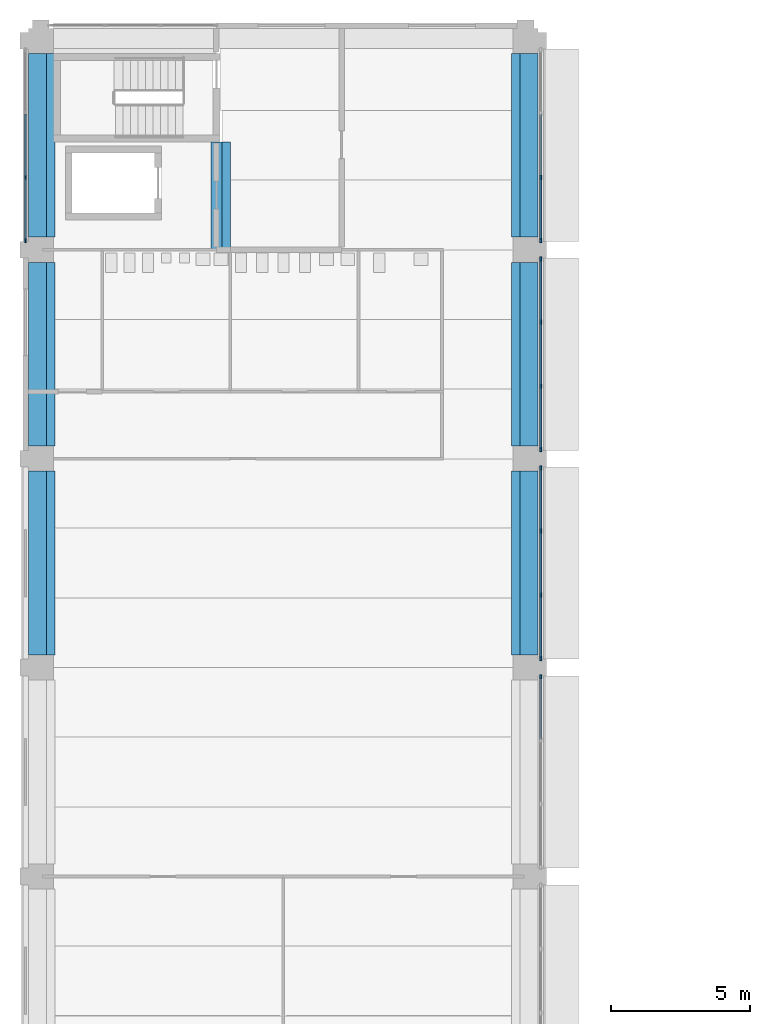
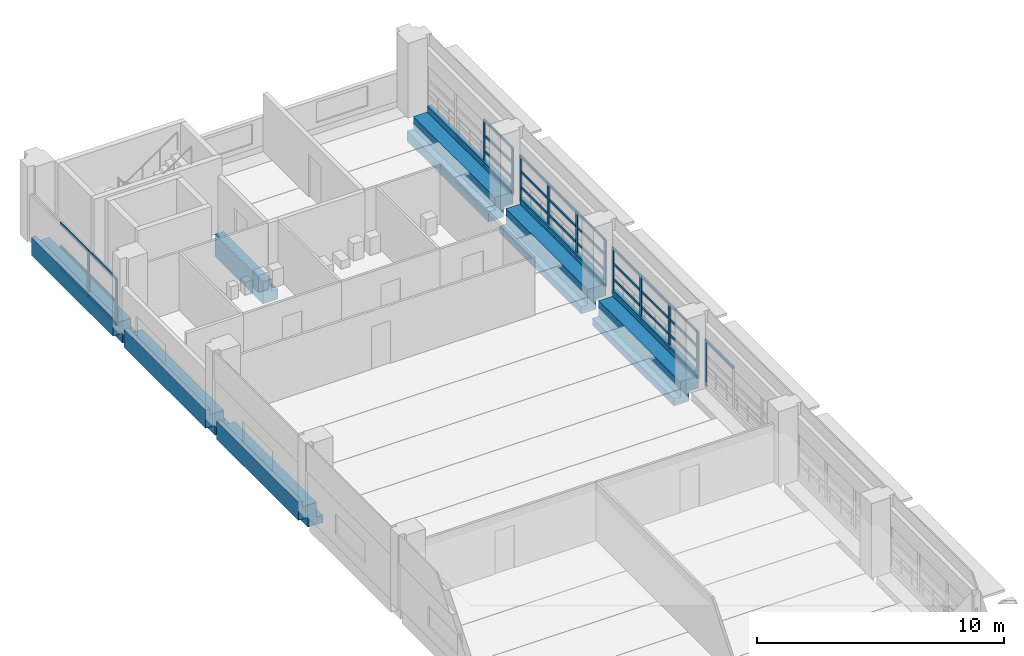
# One storey, part 10 of 57: 49 members, 7 beams, 5 elements without a shape of their own.
"""IFC4 building model written with IfcOpenShell, lengths in metres."""

from ifc_helpers import new_model, si_unit, direction, frame, origin, origin_2d, place, context, subcontext, project, spatial, polyline, rectangle, outline, extrude, material, layer, layer_set, material_profile, profile_set, type_object, element, aggregate, save


model = new_model("IFC4")

# Units and contexts
model_context = context("Model", 3, precision=1e-05, world=origin(), true_north=direction((0.0, 1.0)))
body_context = subcontext(model_context, "Body", "Model", "MODEL_VIEW")
ifc_project = project(units=[si_unit("LENGTHUNIT", "METRE"), si_unit("AREAUNIT", "SQUARE_METRE"), si_unit("VOLUMEUNIT", "CUBIC_METRE"), si_unit("PLANEANGLEUNIT", "RADIAN"), si_unit("MASSUNIT", "GRAM", prefix="KILO")], contexts=[model_context])

# Site, building, storey
site_placement = place(None, origin())
site = spatial("IfcSite", under=ifc_project, at=site_placement, CompositionType="ELEMENT")
building_placement = place(site_placement, origin())
building = spatial("IfcBuilding", under=site, at=building_placement, Name="Cour d'Honneur Mobility Palace", CompositionType="ELEMENT")
storey_placement = place(building_placement, frame((0.0, 0.0, 8.199951171875)))
storey = spatial("IfcBuildingStorey", under=building, at=storey_placement, Name="L02", CompositionType="ELEMENT", Elevation=8.199951171875)

# Curtain wall, member
ifc_material_1 = material(Name="Aluminium and glass", Category="aluminium")
ifc_layer = layer(ifc_material_1, 0.10009765625)
ifc_layer_set = layer_set([ifc_layer], Name="Aluminium and glass")
curtain_wall_type = type_object("IfcCurtainWallType", Name="Curtain wall run", PredefinedType="NOTDEFINED", material=ifc_layer_set)
curtain_wall_1_placement = place(storey_placement, origin())
curtain_wall_1 = element("IfcCurtainWall", 1, at=curtain_wall_1_placement, inside=storey, type_object=curtain_wall_type, Name="Curtain wall CW-26", PredefinedType="NOTDEFINED")
ifc_material_2 = material(Name="Aluminium", Category="aluminium")
ifc_material_profile_1 = material_profile(ifc_material_2, rectangle(XDim=0.06005859375, YDim=0.159912109375, at=origin_2d()), Name="Curtain wall mullion")
ifc_profile_set_1 = profile_set([ifc_material_profile_1], Name="Aluminium")
member_type_1 = type_object("IfcMemberType", Name="Curtain wall mullion", PredefinedType="MULLION", material=ifc_profile_set_1)
member_1_placement = place(storey_placement, frame((17.949951171875, 92.070068359375, 0.0), z_axis=(0.0, 0.0, 1.0), x_axis=(-1.0, 0.0, 0.0)))
member_1 = element("IfcMember", 2, at=member_1_placement, type_object=member_type_1, Name="CW-26 mullion 4", PredefinedType="MULLION", context=body_context, shape_type="SweptSolid", body=[
    extrude(rectangle(XDim=0.06005859375, YDim=0.159912109375, at=origin_2d()), origin(), (0.0, 0.0, 1.0), 2.300048828125),
])

# Curtain wall, members
curtain_wall_2_placement = place(storey_placement, origin())
curtain_wall_2 = element("IfcCurtainWall", 3, at=curtain_wall_2_placement, inside=storey, type_object=curtain_wall_type, Name="Curtain wall CW-27", PredefinedType="NOTDEFINED")
member_2_placement = place(storey_placement, frame((17.949951171875, 92.72998046875, 0.0), z_axis=(0.0, 0.0, 1.0), x_axis=(-1.0, 0.0, 0.0)))
member_2 = element("IfcMember", 4, at=member_2_placement, type_object=member_type_1, Name="CW-27 mullion 1", PredefinedType="MULLION", context=body_context, shape_type="SweptSolid", body=[
    extrude(rectangle(XDim=0.06005859375, YDim=0.159912109375, at=origin_2d()), origin(), (0.0, 0.0, 1.0), 2.300048828125),
])
member_3_placement = place(storey_placement, frame((17.949951171875, 95.0, 0.0), z_axis=(0.0, 0.0, 1.0), x_axis=(-1.0, 0.0, 0.0)))
member_3 = element("IfcMember", 5, at=member_3_placement, type_object=member_type_1, Name="CW-27 mullion 2", PredefinedType="MULLION", context=body_context, shape_type="SweptSolid", body=[
    extrude(rectangle(XDim=0.06005859375, YDim=0.159912109375, at=origin_2d()), origin(), (0.0, 0.0, 1.0), 2.300048828125),
])
member_4_placement = place(storey_placement, frame((17.949951171875, 97.300048828125, 0.0), z_axis=(0.0, 0.0, 1.0), x_axis=(-1.0, 0.0, 0.0)))
member_4 = element("IfcMember", 6, at=member_4_placement, type_object=member_type_1, Name="CW-27 mullion 3", PredefinedType="MULLION", context=body_context, shape_type="SweptSolid", body=[
    extrude(rectangle(XDim=0.06005859375, YDim=0.159912109375, at=origin_2d()), origin(), (0.0, 0.0, 1.0), 2.300048828125),
])
member_5_placement = place(storey_placement, frame((17.949951171875, 99.570068359375, 0.0), z_axis=(0.0, 0.0, 1.0), x_axis=(-1.0, 0.0, 0.0)))
member_5 = element("IfcMember", 7, at=member_5_placement, type_object=member_type_1, Name="CW-27 mullion 4", PredefinedType="MULLION", context=body_context, shape_type="SweptSolid", body=[
    extrude(rectangle(XDim=0.06005859375, YDim=0.159912109375, at=origin_2d()), origin(), (0.0, 0.0, 1.0), 2.300048828125),
])

curtain_wall_3_placement = place(storey_placement, origin())
curtain_wall_3 = element("IfcCurtainWall", 8, at=curtain_wall_3_placement, inside=storey, type_object=curtain_wall_type, Name="Curtain wall CW-28", PredefinedType="NOTDEFINED")
member_6_placement = place(storey_placement, frame((17.949951171875, 100.22998046875, 0.0), z_axis=(0.0, 0.0, 1.0), x_axis=(-1.0, 0.0, 0.0)))
member_6 = element("IfcMember", 9, at=member_6_placement, type_object=member_type_1, Name="CW-28 mullion 1", PredefinedType="MULLION", context=body_context, shape_type="SweptSolid", body=[
    extrude(rectangle(XDim=0.06005859375, YDim=0.159912109375, at=origin_2d()), origin(), (0.0, 0.0, 1.0), 2.300048828125),
])
member_7_placement = place(storey_placement, frame((17.949951171875, 102.5, 0.0), z_axis=(0.0, 0.0, 1.0), x_axis=(-1.0, 0.0, 0.0)))
member_7 = element("IfcMember", 10, at=member_7_placement, type_object=member_type_1, Name="CW-28 mullion 2", PredefinedType="MULLION", context=body_context, shape_type="SweptSolid", body=[
    extrude(rectangle(XDim=0.06005859375, YDim=0.159912109375, at=origin_2d()), origin(), (0.0, 0.0, 1.0), 2.300048828125),
])
member_8_placement = place(storey_placement, frame((17.949951171875, 104.800048828125, 0.0), z_axis=(0.0, 0.0, 1.0), x_axis=(-1.0, 0.0, 0.0)))
member_8 = element("IfcMember", 11, at=member_8_placement, type_object=member_type_1, Name="CW-28 mullion 3", PredefinedType="MULLION", context=body_context, shape_type="SweptSolid", body=[
    extrude(rectangle(XDim=0.06005859375, YDim=0.159912109375, at=origin_2d()), origin(), (0.0, 0.0, 1.0), 2.300048828125),
])
member_9_placement = place(storey_placement, frame((17.949951171875, 107.070068359375, 0.0), z_axis=(0.0, 0.0, 1.0), x_axis=(-1.0, 0.0, 0.0)))
member_9 = element("IfcMember", 12, at=member_9_placement, type_object=member_type_1, Name="CW-28 mullion 4", PredefinedType="MULLION", context=body_context, shape_type="SweptSolid", body=[
    extrude(rectangle(XDim=0.06005859375, YDim=0.159912109375, at=origin_2d()), origin(), (0.0, 0.0, 1.0), 2.300048828125),
])

curtain_wall_4_placement = place(storey_placement, origin())
curtain_wall_4 = element("IfcCurtainWall", 13, at=curtain_wall_4_placement, inside=storey, type_object=curtain_wall_type, Name="Curtain wall CW-29", PredefinedType="NOTDEFINED")
member_10_placement = place(storey_placement, frame((17.949951171875, 107.72998046875, 0.0), z_axis=(0.0, 0.0, 1.0), x_axis=(-1.0, 0.0, 0.0)))
member_10 = element("IfcMember", 14, at=member_10_placement, type_object=member_type_1, Name="CW-29 mullion 1", PredefinedType="MULLION", context=body_context, shape_type="SweptSolid", body=[
    extrude(rectangle(XDim=0.06005859375, YDim=0.159912109375, at=origin_2d()), origin(), (0.0, 0.0, 1.0), 2.300048828125),
])
member_11_placement = place(storey_placement, frame((17.949951171875, 110.0, 0.0), z_axis=(0.0, 0.0, 1.0), x_axis=(-1.0, 0.0, 0.0)))
member_11 = element("IfcMember", 15, at=member_11_placement, type_object=member_type_1, Name="CW-29 mullion 2", PredefinedType="MULLION", context=body_context, shape_type="SweptSolid", body=[
    extrude(rectangle(XDim=0.06005859375, YDim=0.159912109375, at=origin_2d()), origin(), (0.0, 0.0, 1.0), 2.300048828125),
])

curtain_wall_5_placement = place(storey_placement, origin())
curtain_wall_5 = element("IfcCurtainWall", 16, at=curtain_wall_5_placement, inside=storey, type_object=curtain_wall_type, Name="Curtain wall CW-127", PredefinedType="NOTDEFINED")
member_12_placement = place(storey_placement, frame((-0.550048828125, 110.0, 0.0), z_axis=(0.0, 0.0, 1.0), x_axis=(1.0, 0.0, 0.0)))
member_12 = element("IfcMember", 17, at=member_12_placement, type_object=member_type_1, Name="CW-127 mullion 3", PredefinedType="MULLION", context=body_context, shape_type="SweptSolid", body=[
    extrude(rectangle(XDim=0.06005859375, YDim=0.159912109375, at=origin_2d()), origin(), (0.0, 0.0, 1.0), 2.300048828125),
])
member_13_placement = place(storey_placement, frame((-0.550048828125, 107.72998046875, 0.0), z_axis=(0.0, 0.0, 1.0), x_axis=(1.0, 0.0, 0.0)))
member_13 = element("IfcMember", 18, at=member_13_placement, type_object=member_type_1, Name="CW-127 mullion 4", PredefinedType="MULLION", context=body_context, shape_type="SweptSolid", body=[
    extrude(rectangle(XDim=0.06005859375, YDim=0.159912109375, at=origin_2d()), origin(), (0.0, 0.0, 1.0), 2.300048828125),
])

# Member
ifc_material_3 = material(Name="Aluminium", Category="aluminium")
ifc_material_profile_2 = material_profile(ifc_material_3, rectangle(XDim=0.06005859375, YDim=0.1201171875, at=origin_2d()), Name="Curtain wall transom")
ifc_profile_set_2 = profile_set([ifc_material_profile_2], Name="Aluminium")
member_type_2 = type_object("IfcMemberType", Name="Curtain wall transom", PredefinedType="USERDEFINED", material=ifc_profile_set_2)
member_14_placement = place(storey_placement, frame((17.949951171875, 89.830078125, 2.27001953125), z_axis=(0.0, 1.0, 0.0), x_axis=(-1.0, 0.0, 0.0)))
member_14 = element("IfcMember", 19, at=member_14_placement, type_object=member_type_2, Name="CW-26 transom 3.4", ObjectType="TRANSOM", PredefinedType="USERDEFINED", context=body_context, shape_type="SweptSolid", body=[
    extrude(rectangle(XDim=0.06005859375, YDim=0.1201171875, at=origin_2d()), origin(), (0.0, 0.0, 1.0), 2.2099609375),
])

aggregate(curtain_wall_1, [member_1, member_14])

member_15_placement = place(storey_placement, frame((17.949951171875, 92.760009765625, 0.030029296875), z_axis=(0.0, 1.0, 0.0), x_axis=(-1.0, 0.0, 0.0)))
member_15 = element("IfcMember", 20, at=member_15_placement, type_object=member_type_2, Name="CW-27 transom 1.1", ObjectType="TRANSOM", PredefinedType="USERDEFINED", context=body_context, shape_type="SweptSolid", body=[
    extrude(rectangle(XDim=0.06005859375, YDim=0.1201171875, at=origin_2d()), origin(), (0.0, 0.0, 1.0), 2.2099609375),
])

member_16_placement = place(storey_placement, frame((17.949951171875, 92.760009765625, 0.7666015625), z_axis=(0.0, 1.0, 0.0), x_axis=(-1.0, 0.0, 0.0)))
member_16 = element("IfcMember", 21, at=member_16_placement, type_object=member_type_2, Name="CW-27 transom 1.2", ObjectType="TRANSOM", PredefinedType="USERDEFINED", context=body_context, shape_type="SweptSolid", body=[
    extrude(rectangle(XDim=0.06005859375, YDim=0.1201171875, at=origin_2d()), origin(), (0.0, 0.0, 1.0), 2.2099609375),
])

member_17_placement = place(storey_placement, frame((17.949951171875, 92.760009765625, 1.533447265625), z_axis=(0.0, 1.0, 0.0), x_axis=(-1.0, 0.0, 0.0)))
member_17 = element("IfcMember", 22, at=member_17_placement, type_object=member_type_2, Name="CW-27 transom 1.3", ObjectType="TRANSOM", PredefinedType="USERDEFINED", context=body_context, shape_type="SweptSolid", body=[
    extrude(rectangle(XDim=0.06005859375, YDim=0.1201171875, at=origin_2d()), origin(), (0.0, 0.0, 1.0), 2.2099609375),
])

member_18_placement = place(storey_placement, frame((17.949951171875, 92.760009765625, 2.27001953125), z_axis=(0.0, 1.0, 0.0), x_axis=(-1.0, 0.0, 0.0)))
member_18 = element("IfcMember", 23, at=member_18_placement, type_object=member_type_2, Name="CW-27 transom 1.4", ObjectType="TRANSOM", PredefinedType="USERDEFINED", context=body_context, shape_type="SweptSolid", body=[
    extrude(rectangle(XDim=0.06005859375, YDim=0.1201171875, at=origin_2d()), origin(), (0.0, 0.0, 1.0), 2.2099609375),
])

member_19_placement = place(storey_placement, frame((17.949951171875, 95.030029296875, 0.030029296875), z_axis=(0.0, 1.0, 0.0), x_axis=(-1.0, 0.0, 0.0)))
member_19 = element("IfcMember", 24, at=member_19_placement, type_object=member_type_2, Name="CW-27 transom 2.1", ObjectType="TRANSOM", PredefinedType="USERDEFINED", context=body_context, shape_type="SweptSolid", body=[
    extrude(rectangle(XDim=0.06005859375, YDim=0.1201171875, at=origin_2d()), origin(), (0.0, 0.0, 1.0), 2.239990234375),
])

member_20_placement = place(storey_placement, frame((17.949951171875, 95.030029296875, 0.7666015625), z_axis=(0.0, 1.0, 0.0), x_axis=(-1.0, 0.0, 0.0)))
member_20 = element("IfcMember", 25, at=member_20_placement, type_object=member_type_2, Name="CW-27 transom 2.2", ObjectType="TRANSOM", PredefinedType="USERDEFINED", context=body_context, shape_type="SweptSolid", body=[
    extrude(rectangle(XDim=0.06005859375, YDim=0.1201171875, at=origin_2d()), origin(), (0.0, 0.0, 1.0), 2.239990234375),
])

member_21_placement = place(storey_placement, frame((17.949951171875, 95.030029296875, 1.533447265625), z_axis=(0.0, 1.0, 0.0), x_axis=(-1.0, 0.0, 0.0)))
member_21 = element("IfcMember", 26, at=member_21_placement, type_object=member_type_2, Name="CW-27 transom 2.3", ObjectType="TRANSOM", PredefinedType="USERDEFINED", context=body_context, shape_type="SweptSolid", body=[
    extrude(rectangle(XDim=0.06005859375, YDim=0.1201171875, at=origin_2d()), origin(), (0.0, 0.0, 1.0), 2.239990234375),
])

member_22_placement = place(storey_placement, frame((17.949951171875, 95.030029296875, 2.27001953125), z_axis=(0.0, 1.0, 0.0), x_axis=(-1.0, 0.0, 0.0)))
member_22 = element("IfcMember", 27, at=member_22_placement, type_object=member_type_2, Name="CW-27 transom 2.4", ObjectType="TRANSOM", PredefinedType="USERDEFINED", context=body_context, shape_type="SweptSolid", body=[
    extrude(rectangle(XDim=0.06005859375, YDim=0.1201171875, at=origin_2d()), origin(), (0.0, 0.0, 1.0), 2.239990234375),
])

member_23_placement = place(storey_placement, frame((17.949951171875, 97.330078125, 0.030029296875), z_axis=(0.0, 1.0, 0.0), x_axis=(-1.0, 0.0, 0.0)))
member_23 = element("IfcMember", 28, at=member_23_placement, type_object=member_type_2, Name="CW-27 transom 3.1", ObjectType="TRANSOM", PredefinedType="USERDEFINED", context=body_context, shape_type="SweptSolid", body=[
    extrude(rectangle(XDim=0.06005859375, YDim=0.1201171875, at=origin_2d()), origin(), (0.0, 0.0, 1.0), 2.2099609375),
])

member_24_placement = place(storey_placement, frame((17.949951171875, 97.330078125, 0.7666015625), z_axis=(0.0, 1.0, 0.0), x_axis=(-1.0, 0.0, 0.0)))
member_24 = element("IfcMember", 29, at=member_24_placement, type_object=member_type_2, Name="CW-27 transom 3.2", ObjectType="TRANSOM", PredefinedType="USERDEFINED", context=body_context, shape_type="SweptSolid", body=[
    extrude(rectangle(XDim=0.06005859375, YDim=0.1201171875, at=origin_2d()), origin(), (0.0, 0.0, 1.0), 2.2099609375),
])

member_25_placement = place(storey_placement, frame((17.949951171875, 97.330078125, 1.533447265625), z_axis=(0.0, 1.0, 0.0), x_axis=(-1.0, 0.0, 0.0)))
member_25 = element("IfcMember", 30, at=member_25_placement, type_object=member_type_2, Name="CW-27 transom 3.3", ObjectType="TRANSOM", PredefinedType="USERDEFINED", context=body_context, shape_type="SweptSolid", body=[
    extrude(rectangle(XDim=0.06005859375, YDim=0.1201171875, at=origin_2d()), origin(), (0.0, 0.0, 1.0), 2.2099609375),
])

member_26_placement = place(storey_placement, frame((17.949951171875, 97.330078125, 2.27001953125), z_axis=(0.0, 1.0, 0.0), x_axis=(-1.0, 0.0, 0.0)))
member_26 = element("IfcMember", 31, at=member_26_placement, type_object=member_type_2, Name="CW-27 transom 3.4", ObjectType="TRANSOM", PredefinedType="USERDEFINED", context=body_context, shape_type="SweptSolid", body=[
    extrude(rectangle(XDim=0.06005859375, YDim=0.1201171875, at=origin_2d()), origin(), (0.0, 0.0, 1.0), 2.2099609375),
])

aggregate(curtain_wall_2, [member_2, member_3, member_4, member_5, member_15, member_16, member_17, member_18, member_19, member_20, member_21, member_22, member_23, member_24, member_25, member_26])

member_27_placement = place(storey_placement, frame((17.949951171875, 100.260009765625, 0.030029296875), z_axis=(0.0, 1.0, 0.0), x_axis=(-1.0, 0.0, 0.0)))
member_27 = element("IfcMember", 32, at=member_27_placement, type_object=member_type_2, Name="CW-28 transom 1.1", ObjectType="TRANSOM", PredefinedType="USERDEFINED", context=body_context, shape_type="SweptSolid", body=[
    extrude(rectangle(XDim=0.06005859375, YDim=0.1201171875, at=origin_2d()), origin(), (0.0, 0.0, 1.0), 2.2099609375),
])

member_28_placement = place(storey_placement, frame((17.949951171875, 100.260009765625, 0.7666015625), z_axis=(0.0, 1.0, 0.0), x_axis=(-1.0, 0.0, 0.0)))
member_28 = element("IfcMember", 33, at=member_28_placement, type_object=member_type_2, Name="CW-28 transom 1.2", ObjectType="TRANSOM", PredefinedType="USERDEFINED", context=body_context, shape_type="SweptSolid", body=[
    extrude(rectangle(XDim=0.06005859375, YDim=0.1201171875, at=origin_2d()), origin(), (0.0, 0.0, 1.0), 2.2099609375),
])

member_29_placement = place(storey_placement, frame((17.949951171875, 100.260009765625, 1.533447265625), z_axis=(0.0, 1.0, 0.0), x_axis=(-1.0, 0.0, 0.0)))
member_29 = element("IfcMember", 34, at=member_29_placement, type_object=member_type_2, Name="CW-28 transom 1.3", ObjectType="TRANSOM", PredefinedType="USERDEFINED", context=body_context, shape_type="SweptSolid", body=[
    extrude(rectangle(XDim=0.06005859375, YDim=0.1201171875, at=origin_2d()), origin(), (0.0, 0.0, 1.0), 2.2099609375),
])

member_30_placement = place(storey_placement, frame((17.949951171875, 100.260009765625, 2.27001953125), z_axis=(0.0, 1.0, 0.0), x_axis=(-1.0, 0.0, 0.0)))
member_30 = element("IfcMember", 35, at=member_30_placement, type_object=member_type_2, Name="CW-28 transom 1.4", ObjectType="TRANSOM", PredefinedType="USERDEFINED", context=body_context, shape_type="SweptSolid", body=[
    extrude(rectangle(XDim=0.06005859375, YDim=0.1201171875, at=origin_2d()), origin(), (0.0, 0.0, 1.0), 2.2099609375),
])

member_31_placement = place(storey_placement, frame((17.949951171875, 102.530029296875, 0.030029296875), z_axis=(0.0, 1.0, 0.0), x_axis=(-1.0, 0.0, 0.0)))
member_31 = element("IfcMember", 36, at=member_31_placement, type_object=member_type_2, Name="CW-28 transom 2.1", ObjectType="TRANSOM", PredefinedType="USERDEFINED", context=body_context, shape_type="SweptSolid", body=[
    extrude(rectangle(XDim=0.06005859375, YDim=0.1201171875, at=origin_2d()), origin(), (0.0, 0.0, 1.0), 2.239990234375),
])

member_32_placement = place(storey_placement, frame((17.949951171875, 102.530029296875, 0.7666015625), z_axis=(0.0, 1.0, 0.0), x_axis=(-1.0, 0.0, 0.0)))
member_32 = element("IfcMember", 37, at=member_32_placement, type_object=member_type_2, Name="CW-28 transom 2.2", ObjectType="TRANSOM", PredefinedType="USERDEFINED", context=body_context, shape_type="SweptSolid", body=[
    extrude(rectangle(XDim=0.06005859375, YDim=0.1201171875, at=origin_2d()), origin(), (0.0, 0.0, 1.0), 2.239990234375),
])

member_33_placement = place(storey_placement, frame((17.949951171875, 102.530029296875, 1.533447265625), z_axis=(0.0, 1.0, 0.0), x_axis=(-1.0, 0.0, 0.0)))
member_33 = element("IfcMember", 38, at=member_33_placement, type_object=member_type_2, Name="CW-28 transom 2.3", ObjectType="TRANSOM", PredefinedType="USERDEFINED", context=body_context, shape_type="SweptSolid", body=[
    extrude(rectangle(XDim=0.06005859375, YDim=0.1201171875, at=origin_2d()), origin(), (0.0, 0.0, 1.0), 2.239990234375),
])

member_34_placement = place(storey_placement, frame((17.949951171875, 102.530029296875, 2.27001953125), z_axis=(0.0, 1.0, 0.0), x_axis=(-1.0, 0.0, 0.0)))
member_34 = element("IfcMember", 39, at=member_34_placement, type_object=member_type_2, Name="CW-28 transom 2.4", ObjectType="TRANSOM", PredefinedType="USERDEFINED", context=body_context, shape_type="SweptSolid", body=[
    extrude(rectangle(XDim=0.06005859375, YDim=0.1201171875, at=origin_2d()), origin(), (0.0, 0.0, 1.0), 2.239990234375),
])

member_35_placement = place(storey_placement, frame((17.949951171875, 104.830078125, 0.030029296875), z_axis=(0.0, 1.0, 0.0), x_axis=(-1.0, 0.0, 0.0)))
member_35 = element("IfcMember", 40, at=member_35_placement, type_object=member_type_2, Name="CW-28 transom 3.1", ObjectType="TRANSOM", PredefinedType="USERDEFINED", context=body_context, shape_type="SweptSolid", body=[
    extrude(rectangle(XDim=0.06005859375, YDim=0.1201171875, at=origin_2d()), origin(), (0.0, 0.0, 1.0), 2.2099609375),
])

member_36_placement = place(storey_placement, frame((17.949951171875, 104.830078125, 0.7666015625), z_axis=(0.0, 1.0, 0.0), x_axis=(-1.0, 0.0, 0.0)))
member_36 = element("IfcMember", 41, at=member_36_placement, type_object=member_type_2, Name="CW-28 transom 3.2", ObjectType="TRANSOM", PredefinedType="USERDEFINED", context=body_context, shape_type="SweptSolid", body=[
    extrude(rectangle(XDim=0.06005859375, YDim=0.1201171875, at=origin_2d()), origin(), (0.0, 0.0, 1.0), 2.2099609375),
])

member_37_placement = place(storey_placement, frame((17.949951171875, 104.830078125, 1.533447265625), z_axis=(0.0, 1.0, 0.0), x_axis=(-1.0, 0.0, 0.0)))
member_37 = element("IfcMember", 42, at=member_37_placement, type_object=member_type_2, Name="CW-28 transom 3.3", ObjectType="TRANSOM", PredefinedType="USERDEFINED", context=body_context, shape_type="SweptSolid", body=[
    extrude(rectangle(XDim=0.06005859375, YDim=0.1201171875, at=origin_2d()), origin(), (0.0, 0.0, 1.0), 2.2099609375),
])

member_38_placement = place(storey_placement, frame((17.949951171875, 104.830078125, 2.27001953125), z_axis=(0.0, 1.0, 0.0), x_axis=(-1.0, 0.0, 0.0)))
member_38 = element("IfcMember", 43, at=member_38_placement, type_object=member_type_2, Name="CW-28 transom 3.4", ObjectType="TRANSOM", PredefinedType="USERDEFINED", context=body_context, shape_type="SweptSolid", body=[
    extrude(rectangle(XDim=0.06005859375, YDim=0.1201171875, at=origin_2d()), origin(), (0.0, 0.0, 1.0), 2.2099609375),
])

aggregate(curtain_wall_3, [member_6, member_7, member_8, member_9, member_27, member_28, member_29, member_30, member_31, member_32, member_33, member_34, member_35, member_36, member_37, member_38])

member_39_placement = place(storey_placement, frame((17.949951171875, 107.760009765625, 0.030029296875), z_axis=(0.0, 1.0, 0.0), x_axis=(-1.0, 0.0, 0.0)))
member_39 = element("IfcMember", 44, at=member_39_placement, type_object=member_type_2, Name="CW-29 transom 1.1", ObjectType="TRANSOM", PredefinedType="USERDEFINED", context=body_context, shape_type="SweptSolid", body=[
    extrude(rectangle(XDim=0.06005859375, YDim=0.1201171875, at=origin_2d()), origin(), (0.0, 0.0, 1.0), 2.2099609375),
])

member_40_placement = place(storey_placement, frame((17.949951171875, 107.760009765625, 0.7666015625), z_axis=(0.0, 1.0, 0.0), x_axis=(-1.0, 0.0, 0.0)))
member_40 = element("IfcMember", 45, at=member_40_placement, type_object=member_type_2, Name="CW-29 transom 1.2", ObjectType="TRANSOM", PredefinedType="USERDEFINED", context=body_context, shape_type="SweptSolid", body=[
    extrude(rectangle(XDim=0.06005859375, YDim=0.1201171875, at=origin_2d()), origin(), (0.0, 0.0, 1.0), 2.2099609375),
])

member_41_placement = place(storey_placement, frame((17.949951171875, 107.760009765625, 1.533447265625), z_axis=(0.0, 1.0, 0.0), x_axis=(-1.0, 0.0, 0.0)))
member_41 = element("IfcMember", 46, at=member_41_placement, type_object=member_type_2, Name="CW-29 transom 1.3", ObjectType="TRANSOM", PredefinedType="USERDEFINED", context=body_context, shape_type="SweptSolid", body=[
    extrude(rectangle(XDim=0.06005859375, YDim=0.1201171875, at=origin_2d()), origin(), (0.0, 0.0, 1.0), 2.2099609375),
])

member_42_placement = place(storey_placement, frame((17.949951171875, 107.760009765625, 2.27001953125), z_axis=(0.0, 1.0, 0.0), x_axis=(-1.0, 0.0, 0.0)))
member_42 = element("IfcMember", 47, at=member_42_placement, type_object=member_type_2, Name="CW-29 transom 1.4", ObjectType="TRANSOM", PredefinedType="USERDEFINED", context=body_context, shape_type="SweptSolid", body=[
    extrude(rectangle(XDim=0.06005859375, YDim=0.1201171875, at=origin_2d()), origin(), (0.0, 0.0, 1.0), 2.2099609375),
])

member_43_placement = place(storey_placement, frame((17.949951171875, 110.030029296875, 0.030029296875), z_axis=(0.0, 1.0, 0.0), x_axis=(-1.0, 0.0, 0.0)))
member_43 = element("IfcMember", 48, at=member_43_placement, type_object=member_type_2, Name="CW-29 transom 2.1", ObjectType="TRANSOM", PredefinedType="USERDEFINED", context=body_context, shape_type="SweptSolid", body=[
    extrude(rectangle(XDim=0.06005859375, YDim=0.1201171875, at=origin_2d()), origin(), (0.0, 0.0, 1.0), 2.239990234375),
])

aggregate(curtain_wall_4, [member_10, member_11, member_39, member_40, member_41, member_42, member_43])

member_44_placement = place(storey_placement, frame((-0.550048828125, 112.27001953125, 0.030029296875), z_axis=(0.0, -1.0, 0.0), x_axis=(1.0, 0.0, 0.0)))
member_44 = element("IfcMember", 49, at=member_44_placement, type_object=member_type_2, Name="CW-127 transom 2.1", ObjectType="TRANSOM", PredefinedType="USERDEFINED", context=body_context, shape_type="SweptSolid", body=[
    extrude(rectangle(XDim=0.06005859375, YDim=0.1201171875, at=origin_2d()), origin(), (0.0, 0.0, 1.0), 2.239990234375),
])

member_45_placement = place(storey_placement, frame((-0.550048828125, 112.27001953125, 1.150146484375), z_axis=(0.0, -1.0, 0.0), x_axis=(1.0, 0.0, 0.0)))
member_45 = element("IfcMember", 50, at=member_45_placement, type_object=member_type_2, Name="CW-127 transom 2.2", ObjectType="TRANSOM", PredefinedType="USERDEFINED", context=body_context, shape_type="SweptSolid", body=[
    extrude(rectangle(XDim=0.06005859375, YDim=0.1201171875, at=origin_2d()), origin(), (0.0, 0.0, 1.0), 2.239990234375),
])

member_46_placement = place(storey_placement, frame((-0.550048828125, 112.27001953125, 2.27001953125), z_axis=(0.0, -1.0, 0.0), x_axis=(1.0, 0.0, 0.0)))
member_46 = element("IfcMember", 51, at=member_46_placement, type_object=member_type_2, Name="CW-127 transom 2.3", ObjectType="TRANSOM", PredefinedType="USERDEFINED", context=body_context, shape_type="SweptSolid", body=[
    extrude(rectangle(XDim=0.06005859375, YDim=0.1201171875, at=origin_2d()), origin(), (0.0, 0.0, 1.0), 2.239990234375),
])

member_47_placement = place(storey_placement, frame((-0.550048828125, 109.969970703125, 0.030029296875), z_axis=(0.0, -1.0, 0.0), x_axis=(1.0, 0.0, 0.0)))
member_47 = element("IfcMember", 52, at=member_47_placement, type_object=member_type_2, Name="CW-127 transom 3.1", ObjectType="TRANSOM", PredefinedType="USERDEFINED", context=body_context, shape_type="SweptSolid", body=[
    extrude(rectangle(XDim=0.06005859375, YDim=0.1201171875, at=origin_2d()), origin(), (0.0, 0.0, 1.0), 2.2099609375),
])

member_48_placement = place(storey_placement, frame((-0.550048828125, 109.969970703125, 1.150146484375), z_axis=(0.0, -1.0, 0.0), x_axis=(1.0, 0.0, 0.0)))
member_48 = element("IfcMember", 53, at=member_48_placement, type_object=member_type_2, Name="CW-127 transom 3.2", ObjectType="TRANSOM", PredefinedType="USERDEFINED", context=body_context, shape_type="SweptSolid", body=[
    extrude(rectangle(XDim=0.06005859375, YDim=0.1201171875, at=origin_2d()), origin(), (0.0, 0.0, 1.0), 2.2099609375),
])

member_49_placement = place(storey_placement, frame((-0.550048828125, 109.969970703125, 2.27001953125), z_axis=(0.0, -1.0, 0.0), x_axis=(1.0, 0.0, 0.0)))
member_49 = element("IfcMember", 54, at=member_49_placement, type_object=member_type_2, Name="CW-127 transom 3.3", ObjectType="TRANSOM", PredefinedType="USERDEFINED", context=body_context, shape_type="SweptSolid", body=[
    extrude(rectangle(XDim=0.06005859375, YDim=0.1201171875, at=origin_2d()), origin(), (0.0, 0.0, 1.0), 2.2099609375),
])

aggregate(curtain_wall_5, [member_12, member_13, member_44, member_45, member_46, member_47, member_48, member_49])

# Beams
ifc_material_4 = material(Name="Concrete C45", Category="concrete")
ifc_material_profile_3 = material_profile(ifc_material_4, outline(polyline([(0.5, -1.10009765625), (0.5, -0.75), (0.199951171875, -0.75), (0.199951171875, 0.0), (-0.199951171875, 0.0), (-0.449951171875, 0.0), (-0.449951171875, 0.300048828125), (-0.64990234375, 0.300048828125), (-0.64990234375, -0.60009765625), (-0.199951171875, -0.60009765625), (-0.199951171875, -1.10009765625), (0.5, -1.10009765625)])), Name="Ledger Beam 400x1100 ledge left 350 facade right")
ifc_profile_set_3 = profile_set([ifc_material_profile_3], Name="Concrete C45")
beam_type_1 = type_object("IfcBeamType", Name="Ledger Beam 400x1100 ledge left 350 facade right", PredefinedType="BEAM", material=ifc_profile_set_3)
for number, where, z_axis, x_axis, name in (
    (55, (17.39990234375, 92.85009765625, 0.0), (0.0, 1.0, 0.0), (-1.0, 0.0, 0.0), "Precast beam B2 M-N L02"),
    (56, (17.39990234375, 100.35009765625, 0.0), (0.0, 1.0, 0.0), (-1.0, 0.0, 0.0), "Precast beam B2 N-P L02"),
):
    element("IfcBeam", number, at=place(storey_placement, frame(where, z_axis=z_axis, x_axis=x_axis)), inside=storey, type_object=beam_type_1, Name=name, PredefinedType="BEAM", context=body_context, shape_type="SweptSolid", body=[
        extrude(outline(polyline([(0.5, -1.10009765625), (0.5, -0.75), (0.199951171875, -0.75), (0.199951171875, 0.0), (-0.199951171875, 0.0), (-0.449951171875, 0.0), (-0.449951171875, 0.300048828125), (-0.64990234375, 0.300048828125), (-0.64990234375, -0.60009765625), (-0.199951171875, -0.60009765625), (-0.199951171875, -1.10009765625), (0.5, -1.10009765625)])), origin(), (0.0, 0.0, 1.0), 6.599853515625),
    ])
ifc_material_5 = material(Name="Concrete C45", Category="concrete")
ifc_material_profile_4 = material_profile(ifc_material_5, outline(polyline([(0.5, -1.10009765625), (0.5, -0.60009765625), (0.199951171875, -0.60009765625), (0.199951171875, 0.0), (-0.199951171875, 0.0), (-0.449951171875, 0.0), (-0.449951171875, 0.300048828125), (-0.64990234375, 0.300048828125), (-0.64990234375, -0.60009765625), (-0.199951171875, -0.60009765625), (-0.199951171875, -1.10009765625), (0.5, -1.10009765625)])), Name="Ledger Beam 400x1100 ledge left 500 facade right")
ifc_profile_set_4 = profile_set([ifc_material_profile_4], Name="Concrete C45")
beam_type_2 = type_object("IfcBeamType", Name="Ledger Beam 400x1100 ledge left 500 facade right", PredefinedType="BEAM", material=ifc_profile_set_4)
beam_1_placement = place(storey_placement, frame((17.39990234375, 107.85009765625, 0.0), z_axis=(0.0, 1.0, 0.0), x_axis=(-1.0, 0.0, 0.0)))
element("IfcBeam", 57, at=beam_1_placement, inside=storey, type_object=beam_type_2, Name="Precast beam B14 P-Q L02", PredefinedType="BEAM", context=body_context, shape_type="SweptSolid", body=[
    extrude(outline(polyline([(0.5, -1.10009765625), (0.5, -0.60009765625), (0.199951171875, -0.60009765625), (0.199951171875, 0.0), (-0.199951171875, 0.0), (-0.449951171875, 0.0), (-0.449951171875, 0.300048828125), (-0.64990234375, 0.300048828125), (-0.64990234375, -0.60009765625), (-0.199951171875, -0.60009765625), (-0.199951171875, -1.10009765625), (0.5, -1.10009765625)])), origin(), (0.0, 0.0, 1.0), 6.599853515625),
])
ifc_material_6 = material(Name="Concrete C45", Category="concrete")
ifc_material_profile_5 = material_profile(ifc_material_6, outline(polyline([(0.199951171875, -1.10009765625), (0.199951171875, -0.60009765625), (0.64990234375, -0.60009765625), (0.64990234375, 0.300048828125), (0.449951171875, 0.300048828125), (0.449951171875, 0.0), (0.199951171875, 0.0), (-0.199951171875, 0.0), (-0.199951171875, -0.800048828125), (-0.5, -0.800048828125), (-0.5, -1.10009765625), (0.199951171875, -1.10009765625)])), Name="Ledger Beam 400x1100 ledge right 300 facade left")
ifc_profile_set_5 = profile_set([ifc_material_profile_5], Name="Concrete C45")
beam_type_3 = type_object("IfcBeamType", Name="Ledger Beam 400x1100 ledge right 300 facade left", PredefinedType="BEAM", material=ifc_profile_set_5)
beam_2_placement = place(storey_placement, frame((0.0, 107.85009765625, 0.0), z_axis=(0.0, 1.0, 0.0), x_axis=(-1.0, 0.0, 0.0)))
element("IfcBeam", 58, at=beam_2_placement, inside=storey, type_object=beam_type_3, Name="Precast beam B6 P-Q L02", PredefinedType="BEAM", context=body_context, shape_type="SweptSolid", body=[
    extrude(outline(polyline([(0.199951171875, -1.10009765625), (0.199951171875, -0.60009765625), (0.64990234375, -0.60009765625), (0.64990234375, 0.300048828125), (0.449951171875, 0.300048828125), (0.449951171875, 0.0), (0.199951171875, 0.0), (-0.199951171875, 0.0), (-0.199951171875, -0.800048828125), (-0.5, -0.800048828125), (-0.5, -1.10009765625), (0.199951171875, -1.10009765625)])), origin(), (0.0, 0.0, 1.0), 6.599853515625),
])
ifc_material_7 = material(Name="Concrete C45", Category="concrete")
ifc_material_profile_6 = material_profile(ifc_material_7, outline(polyline([(0.199951171875, -1.10009765625), (0.199951171875, -0.60009765625), (0.64990234375, -0.60009765625), (0.64990234375, 0.300048828125), (0.449951171875, 0.300048828125), (0.449951171875, 0.0), (0.199951171875, 0.0), (-0.199951171875, 0.0), (-0.199951171875, -0.75), (-0.5, -0.75), (-0.5, -1.10009765625), (0.199951171875, -1.10009765625)])), Name="Ledger Beam 400x1100 ledge right 350 facade left")
ifc_profile_set_6 = profile_set([ifc_material_profile_6], Name="Concrete C45")
beam_type_4 = type_object("IfcBeamType", Name="Ledger Beam 400x1100 ledge right 350 facade left", PredefinedType="BEAM", material=ifc_profile_set_6)
for number, where, z_axis, x_axis, name in (
    (59, (0.0, 92.85009765625, 0.0), (0.0, 1.0, 0.0), (-1.0, 0.0, 0.0), "Precast beam B4 M-N L02"),
    (60, (0.0, 100.35009765625, 0.0), (0.0, 1.0, 0.0), (-1.0, 0.0, 0.0), "Precast beam B4 N-P L02"),
):
    element("IfcBeam", number, at=place(storey_placement, frame(where, z_axis=z_axis, x_axis=x_axis)), inside=storey, type_object=beam_type_4, Name=name, PredefinedType="BEAM", context=body_context, shape_type="SweptSolid", body=[
        extrude(outline(polyline([(0.199951171875, -1.10009765625), (0.199951171875, -0.60009765625), (0.64990234375, -0.60009765625), (0.64990234375, 0.300048828125), (0.449951171875, 0.300048828125), (0.449951171875, 0.0), (0.199951171875, 0.0), (-0.199951171875, 0.0), (-0.199951171875, -0.75), (-0.5, -0.75), (-0.5, -1.10009765625), (0.199951171875, -1.10009765625)])), origin(), (0.0, 0.0, 1.0), 6.599853515625),
    ])
ifc_material_8 = material(Name="Concrete C45", Category="concrete")
ifc_material_profile_7 = material_profile(ifc_material_8, outline(polyline([(0.199951171875, -1.10009765625), (0.199951171875, 0.0), (-0.199951171875, 0.0), (-0.199951171875, -0.60009765625), (-0.5, -0.60009765625), (-0.5, -1.10009765625), (0.199951171875, -1.10009765625)])), Name="Ledger Beam 400x1100 ledge right 500 plain")
ifc_profile_set_7 = profile_set([ifc_material_profile_7], Name="Concrete C45")
beam_type_5 = type_object("IfcBeamType", Name="Ledger Beam 400x1100 ledge right 500 plain", PredefinedType="BEAM", material=ifc_profile_set_7)
beam_3_placement = place(storey_placement, frame((6.300048828125, 107.39990234375, 0.0), z_axis=(0.0, 1.0, 0.0), x_axis=(-1.0, 0.0, 0.0)))
element("IfcBeam", 61, at=beam_3_placement, inside=storey, type_object=beam_type_5, Name="Precast beam B9 P- L02", PredefinedType="BEAM", context=body_context, shape_type="SweptSolid", body=[
    extrude(outline(polyline([(0.199951171875, -1.10009765625), (0.199951171875, 0.0), (-0.199951171875, 0.0), (-0.199951171875, -0.60009765625), (-0.5, -0.60009765625), (-0.5, -1.10009765625), (0.199951171875, -1.10009765625)])), origin(), (0.0, 0.0, 1.0), 3.875),
])

save(model, "model.ifc")
